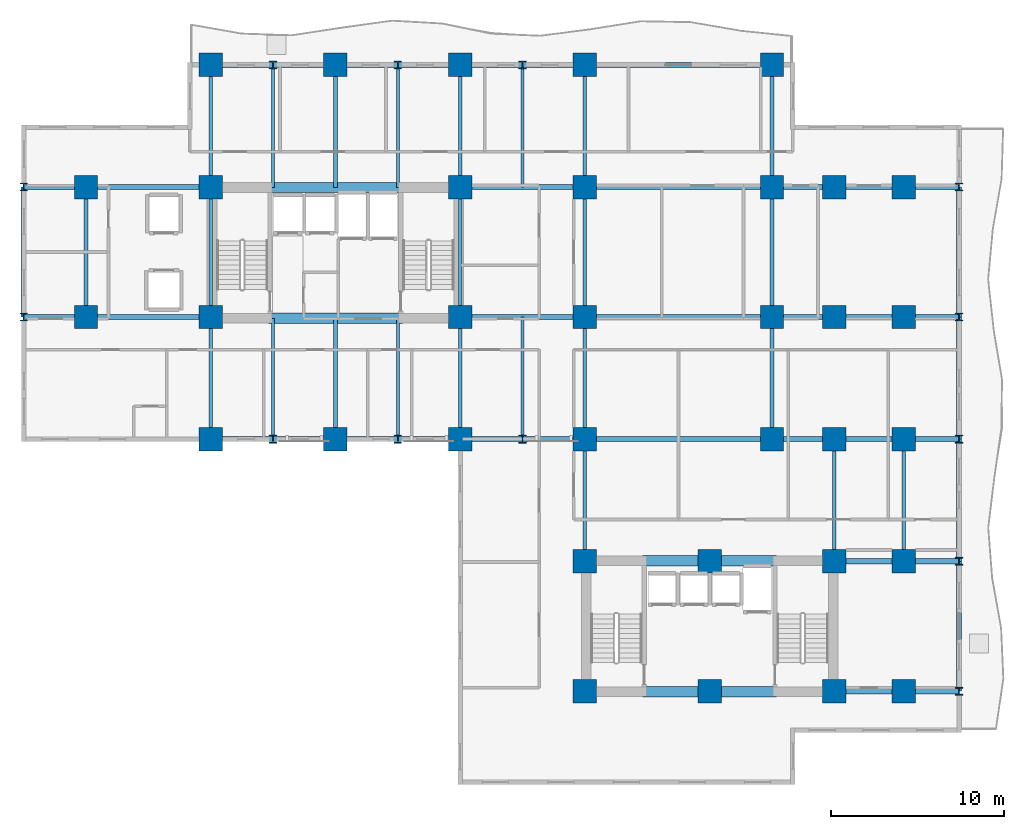
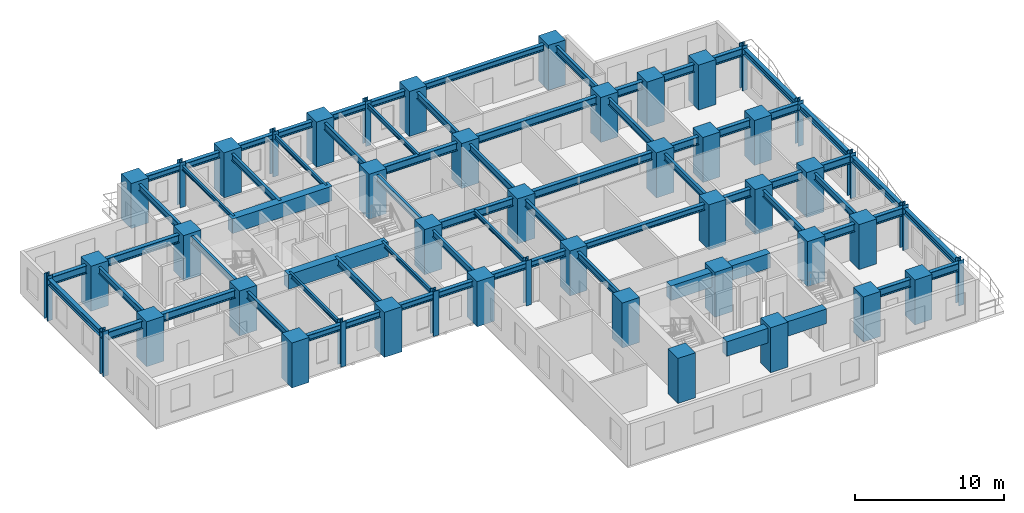
# One storey, part 1 of 11: 68 beams, 47 columns.
"""IFC4 building model written with IfcOpenShell, lengths in metres."""

import ifcopenshell
import ifcopenshell.guid

model = None  # the IFC model being written
_history = None  # IfcOwnerHistory: only IFC2X3 demands one
_inside = {}  # id of a spatial element -> (the spatial element, [elements in it])
_under = {}  # id of a project, library or spatial element -> (it, [spatial elements below it])
_declared = {}  # id of a project -> (the project, [libraries it declares])
_typed = {}  # id of a type object -> (the type object, [elements of that type])
_made_of = {}  # id of a material, layer set ... -> (it, [elements and type objects made of it])


def new_model(schema):
    """Start an empty IFC model of exactly this schema.

    Asked for "IFC4X3", IfcOpenShell would pick the latest addendum, in which some entities
    have other attributes; the version numbers below select the first issue.
    IFC2X3 requires an IfcOwnerHistory on every rooted entity: one is made here for all.
    """
    global model, _history
    if schema == "IFC4X3":
        model = ifcopenshell.file(schema_version=(4, 3, 0, 0))
    else:
        model = ifcopenshell.file(schema=schema)
    _inside.clear()
    _under.clear()
    _declared.clear()
    _typed.clear()
    _made_of.clear()
    _history = None
    if model.schema == "IFC2X3":
        org = make("IfcOrganization", Name="unknown")
        user = make(
            "IfcPersonAndOrganization",
            ThePerson=make("IfcPerson", FamilyName="unknown"),
            TheOrganization=org,
        )
        app = make(
            "IfcApplication",
            ApplicationDeveloper=org,
            Version="unknown",
            ApplicationFullName="unknown",
            ApplicationIdentifier="unknown",
        )
        _history = make(
            "IfcOwnerHistory",
            OwningUser=user,
            OwningApplication=app,
            ChangeAction="ADDED",
            CreationDate=0,
        )
    return model


def make(cls, **values):
    """One entity of the class cls with the attributes given. An attribute that is None is left unset."""
    return model.create_entity(
        cls, **{name: value for name, value in values.items() if value is not None}
    )


def rooted(cls, **values):
    """An entity with a GlobalId (a new one), such as an element, a storey or a relation."""
    return make(cls, GlobalId=ifcopenshell.guid.new(), OwnerHistory=_history, **values)


def si_unit(unit_type, name, prefix=None):
    """IfcSIUnit, for example si_unit("LENGTHUNIT", "METRE", prefix="MILLI")."""
    return make("IfcSIUnit", UnitType=unit_type, Prefix=prefix, Name=name)


def assignment(units):
    """IfcUnitAssignment: the units of a project."""
    return None if units is None else make("IfcUnitAssignment", Units=units)


def point(xyz):
    """IfcCartesianPoint."""
    return None if xyz is None else make("IfcCartesianPoint", Coordinates=xyz)


def direction(xyz):
    """IfcDirection."""
    return None if xyz is None else make("IfcDirection", DirectionRatios=xyz)


def frame(location, z_axis=None, x_axis=None):
    """IfcAxis2Placement3D, a coordinate frame: its origin and axes. An axis left out is left unset."""
    return make(
        "IfcAxis2Placement3D",
        Location=point(location),
        Axis=direction(z_axis),
        RefDirection=direction(x_axis),
    )


def frame_2d(location, x_axis=None):
    """IfcAxis2Placement2D, a coordinate frame in the plane: its origin and x axis."""
    return make(
        "IfcAxis2Placement2D", Location=point(location), RefDirection=direction(x_axis)
    )


def origin():
    """The frame at (0, 0, 0) with its axes left unset."""
    return frame((0.0, 0.0, 0.0))


def origin_2d():
    """The frame at (0, 0) in the plane with its x axis left unset."""
    return frame_2d((0.0, 0.0))


def place(relative_to, where):
    """IfcLocalPlacement: puts the frame where relative to a parent placement (None: the world)."""
    return make(
        "IfcLocalPlacement", PlacementRelTo=relative_to, RelativePlacement=where
    )


def context(
    kind, dimensions, precision=None, world=None, true_north=None, identifier=None
):
    """IfcGeometricRepresentationContext, for example the 3D "Model" context."""
    return make(
        "IfcGeometricRepresentationContext",
        ContextIdentifier=identifier,
        ContextType=kind,
        CoordinateSpaceDimension=dimensions,
        Precision=precision,
        WorldCoordinateSystem=world,
        TrueNorth=true_north,
    )


def subcontext(parent, identifier, kind, view, scale=None):
    """IfcGeometricRepresentationSubContext, for example "Body" below "Model"."""
    return make(
        "IfcGeometricRepresentationSubContext",
        ContextIdentifier=identifier,
        ContextType=kind,
        ParentContext=parent,
        TargetScale=scale,
        TargetView=view,
    )


def project(units=None, contexts=None):
    """IfcProject with its units and contexts."""
    return rooted(
        "IfcProject",
        Name="project",
        RepresentationContexts=contexts,
        UnitsInContext=assignment(units),
    )


def spatial(cls, under=None, at=None, **own):
    """A site, building, storey or space (cls), placed at a placement, below another one or the project."""
    s = rooted(cls, ObjectPlacement=at, **own)
    if under is not None:
        _under.setdefault(under.id(), (under, []))[1].append(s)
    return s


def profile(cls, at=None, kind="AREA", **sizes):
    """A parametric profile (cls). Its sizes go by their IFC names, for example OverallWidth=200.0."""
    return make(cls, ProfileType=kind, Position=at, **sizes)


def rectangle(**sizes):
    """IfcRectangleProfileDef."""
    return profile("IfcRectangleProfileDef", **sizes)


def i_section(**sizes):
    """IfcIShapeProfileDef."""
    return profile("IfcIShapeProfileDef", **sizes)


def extrude(swept, where, along, depth):
    """IfcExtrudedAreaSolid: the profile swept, set in the frame where, extruded along a direction by depth."""
    return make(
        "IfcExtrudedAreaSolid",
        SweptArea=swept,
        Position=where,
        ExtrudedDirection=direction(along),
        Depth=depth,
    )


def shape(context_of_items, identifier, shape_type, items):
    """IfcShapeRepresentation: the items that make up one representation, for example the "Body"."""
    return make(
        "IfcShapeRepresentation",
        ContextOfItems=context_of_items,
        RepresentationIdentifier=identifier,
        RepresentationType=shape_type,
        Items=items,
    )


def source(mapping_origin, context_of_items, identifier, shape_type, items):
    """IfcRepresentationMap: a shape defined once, which mapped items show again and again."""
    return make(
        "IfcRepresentationMap",
        MappingOrigin=mapping_origin,
        MappedRepresentation=shape(context_of_items, identifier, shape_type, items),
    )


def transform(
    local_origin,
    x_axis=None,
    y_axis=None,
    z_axis=None,
    scale=None,
    scale2=None,
    scale3=None,
    uniform=True,
):
    """IfcCartesianTransformationOperator3D, or its non-uniform kind. x_axis, y_axis, z_axis: its Axis1, 2, 3."""
    if uniform:
        return make(
            "IfcCartesianTransformationOperator3D",
            Axis1=direction(x_axis),
            Axis2=direction(y_axis),
            LocalOrigin=point(local_origin),
            Scale=scale,
            Axis3=direction(z_axis),
        )
    return make(
        "IfcCartesianTransformationOperator3DnonUniform",
        Axis1=direction(x_axis),
        Axis2=direction(y_axis),
        LocalOrigin=point(local_origin),
        Scale=scale,
        Axis3=direction(z_axis),
        Scale2=scale2,
        Scale3=scale3,
    )


def mapped(mapping_source, mapping_target):
    """IfcMappedItem: shows the shape of a source again, moved by a transform."""
    return make(
        "IfcMappedItem", MappingSource=mapping_source, MappingTarget=mapping_target
    )


def material(Name=None, Category=None):
    """IfcMaterial."""
    return make("IfcMaterial", Name=Name, Category=Category)


def material_profile(
    of_material, cross_section, Name=None, Category=None, Priority=None
):
    """IfcMaterialProfile: a cross section and its material."""
    return make(
        "IfcMaterialProfile",
        Name=Name,
        Material=of_material,
        Profile=cross_section,
        Priority=Priority,
        Category=Category,
    )


def profile_set(profiles, Name=None, composite=None):
    """IfcMaterialProfileSet."""
    return make(
        "IfcMaterialProfileSet",
        Name=Name,
        MaterialProfiles=profiles,
        CompositeProfile=composite,
    )


def made_of(thing, what):
    """Note that an element or type object is made of a material, layer set ...; save() writes the relation."""
    if what is not None:
        _made_of.setdefault(what.id(), (what, []))[1].append(thing)
    return thing


def type_object(cls, material=None, **own):
    """A type object (cls), such as IfcWallType, which elements share."""
    return made_of(rooted(cls, **own), material)


def element(
    cls,
    number,
    at=None,
    inside=None,
    cuts=None,
    type_object=None,
    material=None,
    context=None,
    identifier="Body",
    shape_type=None,
    held_by="IfcProductDefinitionShape",
    body=None,
    shapes=None,
    **own,
):
    """One element of the class cls, such as IfcWall. Its Tag is "e" and its number.

    at: its placement. inside: the storey or other place that contains it. cuts: it is an
    opening in that element (IfcRelVoidsElement). A single representation is given by context,
    identifier, shape_type and body (its items); several are given by shapes. held_by: the class
    of the entity that holds the representations. save() writes the other relations.
    """
    e = rooted(cls, Tag="e%d" % number, ObjectPlacement=at, **own)
    if body is not None:
        shapes = [shape(context, identifier, shape_type, body)]
    if shapes is not None:
        e.Representation = make(held_by, Representations=shapes)
    if inside is not None:
        _inside.setdefault(inside.id(), (inside, []))[1].append(e)
    if cuts is not None:
        rooted(
            "IfcRelVoidsElement", RelatingBuildingElement=cuts, RelatedOpeningElement=e
        )
    if type_object is not None:
        _typed.setdefault(type_object.id(), (type_object, []))[1].append(e)
    return made_of(e, material)


def aggregate(whole, parts):
    """IfcRelAggregates: a whole, such as a stair, and the parts it consists of."""
    return rooted("IfcRelAggregates", RelatingObject=whole, RelatedObjects=parts)


def save(model, path):
    """Write the relations noted so far, then the file.

    IfcRelAggregates (storeys below a building ...), IfcRelContainedInSpatialStructure (elements
    in a storey), IfcRelDefinesByType, IfcRelAssociatesMaterial and IfcRelDeclares: one each for
    every whole, place, type object, material and project.
    """
    for whole, parts in _under.values():
        aggregate(whole, parts)
    for where, things in _inside.values():
        rooted(
            "IfcRelContainedInSpatialStructure",
            RelatedElements=things,
            RelatingStructure=where,
        )
    for kind, things in _typed.values():
        rooted("IfcRelDefinesByType", RelatedObjects=things, RelatingType=kind)
    for what, things in _made_of.values():
        rooted("IfcRelAssociatesMaterial", RelatedObjects=things, RelatingMaterial=what)
    for by, libraries in _declared.values():
        rooted("IfcRelDeclares", RelatingContext=by, RelatedDefinitions=libraries)
    model.write(path)


model = new_model("IFC4")

# Units and contexts
model_context = context("Model", 3, precision=1e-05, world=origin(), true_north=direction((0.0, 1.0)))
body_context = subcontext(model_context, "Body", "Model", "MODEL_VIEW")
ifc_project = project(units=[si_unit("LENGTHUNIT", "METRE"), si_unit("AREAUNIT", "SQUARE_METRE"), si_unit("VOLUMEUNIT", "CUBIC_METRE"), si_unit("PLANEANGLEUNIT", "RADIAN"), si_unit("MASSUNIT", "GRAM", prefix="KILO")], contexts=[model_context])

# Site, building, storey
site_placement = place(None, origin())
site = spatial("IfcSite", under=ifc_project, at=site_placement, CompositionType="ELEMENT")
building_placement = place(site_placement, origin())
building = spatial("IfcBuilding", under=site, at=building_placement, Name="Kaliganga Portal Commons", CompositionType="ELEMENT")
storey_placement = place(building_placement, frame((0.0, 0.0, 66.0)))
storey = spatial("IfcBuildingStorey", under=building, at=storey_placement, Name="L16", CompositionType="ELEMENT", Elevation=66.0)

# Columns
ifc_material_1 = material(Name="Concrete C70/85", Category="concrete")
ifc_material_profile_1 = material_profile(ifc_material_1, rectangle(XDim=1.35009765625, YDim=1.35009765625, at=origin_2d()), Name="RC 1350x1350")
ifc_profile_set_1 = profile_set([ifc_material_profile_1], Name="Concrete C70/85")
column_type_1 = type_object("IfcColumnType", Name="COL-MEGA-Z1", PredefinedType="COLUMN", material=ifc_profile_set_1)
shared_shape_1 = source(origin(), body_context, "Body", "SweptSolid", [
    extrude(rectangle(XDim=1.35009765625, YDim=1.35009765625, at=origin_2d()), origin(), (0.0, 0.0, 1.0), 3.699951171875),
])
for number, where, z_axis, x_axis, name in (
    (1, (7.199951171875, 28.64990234375, 0.0), (0.0, 0.0, 1.0), (1.0, 0.0, 0.0), "Column MC-02 L16"),
    (2, (7.199951171875, 36.14990234375, 0.0), (0.0, 0.0, 1.0), (1.0, 0.0, 0.0), "Column MC-02 L16"),
    (3, (14.39990234375, 21.60009765625, 0.0), (0.0, 0.0, 1.0), (1.0, 0.0, 0.0), "Column MC-02 L16"),
    (4, (14.39990234375, 28.64990234375, 0.0), (0.0, 0.0, 1.0), (1.0, 0.0, 0.0), "Column MC-02 L16"),
    (5, (14.39990234375, 36.14990234375, 0.0), (0.0, 0.0, 1.0), (1.0, 0.0, 0.0), "Column MC-02 L16"),
    (6, (14.39990234375, 43.199951171875, 0.0), (0.0, 0.0, 1.0), (1.0, 0.0, 0.0), "Column MC-02 L16"),
    (7, (21.60009765625, 21.60009765625, 0.0), (0.0, 0.0, 1.0), (1.0, 0.0, 0.0), "Column MC-02 L16"),
    (8, (21.60009765625, 43.199951171875, 0.0), (0.0, 0.0, 1.0), (1.0, 0.0, 0.0), "Column MC-02 L16"),
    (9, (28.800048828125, 21.60009765625, 0.0), (0.0, 0.0, 1.0), (1.0, 0.0, 0.0), "Column MC-02 L16"),
    (10, (28.800048828125, 28.64990234375, 0.0), (0.0, 0.0, 1.0), (1.0, 0.0, 0.0), "Column MC-02 L16"),
    (11, (28.800048828125, 36.14990234375, 0.0), (0.0, 0.0, 1.0), (1.0, 0.0, 0.0), "Column MC-02 L16"),
    (12, (28.800048828125, 43.199951171875, 0.0), (0.0, 0.0, 1.0), (1.0, 0.0, 0.0), "Column MC-02 L16"),
    (13, (36.0, 21.60009765625, 0.0), (0.0, 0.0, 1.0), (1.0, 0.0, 0.0), "Column MC-02 L16"),
    (14, (36.0, 43.199951171875, 0.0), (0.0, 0.0, 1.0), (1.0, 0.0, 0.0), "Column MC-02 L16"),
    (15, (36.0, 28.64990234375, 0.0), (0.0, 0.0, 1.0), (1.0, 0.0, 0.0), "Column MC-02 L16"),
    (16, (36.0, 36.14990234375, 0.0), (0.0, 0.0, 1.0), (1.0, 0.0, 0.0), "Column MC-02 L16"),
    (17, (46.800048828125, 21.60009765625, 0.0), (0.0, 0.0, 1.0), (1.0, 0.0, 0.0), "Column MC-02 L16"),
    (18, (46.800048828125, 28.64990234375, 0.0), (0.0, 0.0, 1.0), (1.0, 0.0, 0.0), "Column MC-02 L16"),
    (19, (46.800048828125, 36.14990234375, 0.0), (0.0, 0.0, 1.0), (1.0, 0.0, 0.0), "Column MC-02 L16"),
    (20, (46.800048828125, 43.199951171875, 0.0), (0.0, 0.0, 1.0), (1.0, 0.0, 0.0), "Column MC-02 L16"),
    (21, (36.0, 7.050048828125, 0.0), (0.0, 0.0, 1.0), (1.0, 0.0, 0.0), "Column MC-02 L16"),
    (22, (36.0, 14.550048828125, 0.0), (0.0, 0.0, 1.0), (1.0, 0.0, 0.0), "Column MC-02 L16"),
    (23, (43.199951171875, 7.050048828125, 0.0), (0.0, 0.0, 1.0), (1.0, 0.0, 0.0), "Column MC-02 L16"),
    (24, (43.199951171875, 14.550048828125, 0.0), (0.0, 0.0, 1.0), (1.0, 0.0, 0.0), "Column MC-02 L16"),
    (25, (50.39990234375, 7.050048828125, 0.0), (0.0, 0.0, 1.0), (1.0, 0.0, 0.0), "Column MC-02 L16"),
    (26, (50.39990234375, 14.550048828125, 0.0), (0.0, 0.0, 1.0), (1.0, 0.0, 0.0), "Column MC-02 L16"),
    (27, (50.39990234375, 21.60009765625, 0.0), (0.0, 0.0, 1.0), (1.0, 0.0, 0.0), "Column MC-02 L16"),
    (28, (50.39990234375, 28.64990234375, 0.0), (0.0, 0.0, 1.0), (1.0, 0.0, 0.0), "Column MC-02 L16"),
    (29, (50.39990234375, 36.14990234375, 0.0), (0.0, 0.0, 1.0), (1.0, 0.0, 0.0), "Column MC-02 L16"),
    (30, (54.39990234375, 7.050048828125, 0.0), (0.0, 0.0, 1.0), (1.0, 0.0, 0.0), "Column MC-02 L16"),
    (31, (54.39990234375, 14.550048828125, 0.0), (0.0, 0.0, 1.0), (1.0, 0.0, 0.0), "Column MC-02 L16"),
    (32, (54.39990234375, 21.60009765625, 0.0), (0.0, 0.0, 1.0), (1.0, 0.0, 0.0), "Column MC-02 L16"),
    (33, (54.39990234375, 28.64990234375, 0.0), (0.0, 0.0, 1.0), (1.0, 0.0, 0.0), "Column MC-02 L16"),
    (34, (54.39990234375, 36.14990234375, 0.0), (0.0, 0.0, 1.0), (1.0, 0.0, 0.0), "Column MC-02 L16"),
):
    element("IfcColumn", number, at=place(storey_placement, frame(where, z_axis=z_axis, x_axis=x_axis)), inside=storey, type_object=column_type_1, Name=name, PredefinedType="COLUMN", context=body_context, shape_type="MappedRepresentation", body=[
        mapped(shared_shape_1, transform((0.0, 0.0, 0.0), x_axis=(1.0, 0.0, 0.0), y_axis=(0.0, 1.0, 0.0), z_axis=(0.0, 0.0, 1.0), scale=1.0)),
    ])
ifc_material_2 = material(Name="Structural steel S460M", Category="steel")
ifc_material_profile_2 = material_profile(ifc_material_2, i_section(OverallWidth=0.416015625, OverallDepth=0.446044921875, WebThickness=0.029052734375, FlangeThickness=0.0400390625, FilletRadius=0.014892578125, at=origin_2d()), Name="HD 400x509")
ifc_profile_set_2 = profile_set([ifc_material_profile_2], Name="Structural steel S460M wide-flange")
column_type_2 = type_object("IfcColumnType", Name="COL-TUBE-B1", PredefinedType="COLUMN", material=ifc_profile_set_2)
shared_shape_2 = source(origin(), body_context, "Body", "SweptSolid", [
    extrude(i_section(OverallWidth=0.416015625, OverallDepth=0.446044921875, WebThickness=0.029052734375, FlangeThickness=0.0400390625, FilletRadius=0.014892578125, at=origin_2d()), origin(), (0.0, 0.0, 1.0), 3.699951171875),
])
for number, where, z_axis, x_axis, name in (
    (35, (3.60009765625, 28.64990234375, 0.0), (0.0, 0.0, 1.0), (1.0, 0.0, 0.0), "Column TC-01 L16"),
    (36, (3.60009765625, 36.14990234375, 0.0), (0.0, 0.0, 1.0), (1.0, 0.0, 0.0), "Column TC-01 L16"),
    (37, (18.0, 21.60009765625, 0.0), (0.0, 0.0, 1.0), (1.0, 0.0, 0.0), "Column TC-01 L16"),
    (38, (18.0, 43.199951171875, 0.0), (0.0, 0.0, 1.0), (1.0, 0.0, 0.0), "Column TC-01 L16"),
    (39, (25.199951171875, 21.60009765625, 0.0), (0.0, 0.0, 1.0), (1.0, 0.0, 0.0), "Column TC-01 L16"),
    (40, (25.199951171875, 43.199951171875, 0.0), (0.0, 0.0, 1.0), (1.0, 0.0, 0.0), "Column TC-01 L16"),
    (41, (32.39990234375, 21.60009765625, 0.0), (0.0, 0.0, 1.0), (1.0, 0.0, 0.0), "Column TC-01 L16"),
    (42, (32.39990234375, 43.199951171875, 0.0), (0.0, 0.0, 1.0), (1.0, 0.0, 0.0), "Column TC-01 L16"),
    (43, (57.60009765625, 7.050048828125, 0.0), (0.0, 0.0, 1.0), (1.0, 0.0, 0.0), "Column TC-01 L16"),
    (44, (57.60009765625, 14.550048828125, 0.0), (0.0, 0.0, 1.0), (1.0, 0.0, 0.0), "Column TC-01 L16"),
    (45, (57.60009765625, 21.60009765625, 0.0), (0.0, 0.0, 1.0), (1.0, 0.0, 0.0), "Column TC-01 L16"),
    (46, (57.60009765625, 28.64990234375, 0.0), (0.0, 0.0, 1.0), (1.0, 0.0, 0.0), "Column TC-01 L16"),
    (47, (57.60009765625, 36.14990234375, 0.0), (0.0, 0.0, 1.0), (1.0, 0.0, 0.0), "Column TC-01 L16"),
):
    element("IfcColumn", number, at=place(storey_placement, frame(where, z_axis=z_axis, x_axis=x_axis)), inside=storey, type_object=column_type_2, Name=name, PredefinedType="COLUMN", context=body_context, shape_type="MappedRepresentation", body=[
        mapped(shared_shape_2, transform((0.0, 0.0, 0.0), x_axis=(1.0, 0.0, 0.0), y_axis=(0.0, 1.0, 0.0), z_axis=(0.0, 0.0, 1.0), scale=1.0)),
    ])

# Beams
ifc_material_3 = material(Name="Concrete C60/75", Category="concrete")
ifc_material_profile_3 = material_profile(ifc_material_3, rectangle(XDim=0.60009765625, YDim=1.199951171875, at=origin_2d()), Name="RC 600x1200")
ifc_profile_set_3 = profile_set([ifc_material_profile_3], Name="Concrete C60/75")
beam_type_1 = type_object("IfcBeamType", Name="BM-CPL-1200", PredefinedType="LINTEL", material=ifc_profile_set_3)
shared_shape_3 = source(origin(), body_context, "Body", "SweptSolid", [
    extrude(rectangle(XDim=0.60009765625, YDim=1.199951171875, at=origin_2d()), origin(), (0.0, 0.0, 1.0), 7.739990234375),
])
for number, where, z_axis, x_axis, name in (
    (48, (17.72998046875, 28.574951171875, 2.85009765625), (1.0, 0.0, 0.0), (0.0, 1.0, 0.0), "BM CPL COREA L16 S"),
    (49, (17.72998046875, 36.125, 2.85009765625), (1.0, 0.0, 0.0), (0.0, 1.0, 0.0), "BM CPL COREA L16 N"),
    (50, (39.330078125, 7.02490234375, 2.85009765625), (1.0, 0.0, 0.0), (0.0, 1.0, 0.0), "BM CPL COREB L16 S"),
    (51, (39.330078125, 14.574951171875, 2.85009765625), (1.0, 0.0, 0.0), (0.0, 1.0, 0.0), "BM CPL COREB L16 N"),
):
    element("IfcBeam", number, at=place(storey_placement, frame(where, z_axis=z_axis, x_axis=x_axis)), inside=storey, type_object=beam_type_1, Name=name, PredefinedType="LINTEL", context=body_context, shape_type="MappedRepresentation", body=[
        mapped(shared_shape_3, transform((0.0, 0.0, 0.0), x_axis=(1.0, 0.0, 0.0), y_axis=(0.0, 1.0, 0.0), z_axis=(0.0, 0.0, 1.0), scale=1.0)),
    ])
ifc_material_4 = material(Name="Structural steel S355J2", Category="steel")
ifc_material_profile_4 = material_profile(ifc_material_4, i_section(OverallWidth=0.300048828125, OverallDepth=0.5, WebThickness=0.014404296875, FlangeThickness=0.028076171875, FilletRadius=0.027099609375, at=origin_2d()), Name="HE 500 B")
ifc_profile_set_4 = profile_set([ifc_material_profile_4], Name="Structural steel S355J2 wide-flange")
beam_type_2 = type_object("IfcBeamType", Name="BM-SPAND-500", PredefinedType="SPANDREL", material=ifc_profile_set_4)
shared_shape_4 = source(origin(), body_context, "Body", "SweptSolid", [
    extrude(i_section(OverallWidth=0.300048828125, OverallDepth=0.5, WebThickness=0.014404296875, FlangeThickness=0.028076171875, FilletRadius=0.027099609375, at=origin_2d()), origin(), (0.0, 0.0, 1.0), 10.800048828125),
])
for number, where, z_axis, x_axis, name in (
    (52, (36.0, 43.199951171875, 3.199951171875), (1.0, 0.0, 0.0), (0.0, 1.0, 0.0), "BM SP L16 AN 7"),
    (53, (36.0, 21.60009765625, 3.199951171875), (1.0, 0.0, 0.0), (0.0, 1.0, 0.0), "BM SP L16 AS 7"),
):
    element("IfcBeam", number, at=place(storey_placement, frame(where, z_axis=z_axis, x_axis=x_axis)), inside=storey, type_object=beam_type_2, Name=name, PredefinedType="SPANDREL", context=body_context, shape_type="MappedRepresentation", body=[
        mapped(shared_shape_4, transform((0.0, 0.0, 0.0), x_axis=(1.0, 0.0, 0.0), y_axis=(0.0, 1.0, 0.0), z_axis=(0.0, 0.0, 1.0), scale=1.0)),
    ])
shared_shape_5 = source(origin(), body_context, "Body", "SweptSolid", [
    extrude(i_section(OverallWidth=0.300048828125, OverallDepth=0.5, WebThickness=0.014404296875, FlangeThickness=0.028076171875, FilletRadius=0.027099609375, at=origin_2d()), origin(), (0.0, 0.0, 1.0), 7.5),
])
for number, where, z_axis, x_axis, name in (
    (54, (3.60009765625, 28.64990234375, 3.199951171875), (0.0, 1.0, 0.0), (-1.0, 0.0, 0.0), "BM SP L16 AW"),
    (55, (57.60009765625, 7.050048828125, 3.199951171875), (0.0, 1.0, 0.0), (-1.0, 0.0, 0.0), "BM SP L16 BE 1"),
    (56, (57.60009765625, 28.64990234375, 3.199951171875), (0.0, 1.0, 0.0), (-1.0, 0.0, 0.0), "BM SP L16 BE 4"),
):
    element("IfcBeam", number, at=place(storey_placement, frame(where, z_axis=z_axis, x_axis=x_axis)), inside=storey, type_object=beam_type_2, Name=name, PredefinedType="SPANDREL", context=body_context, shape_type="MappedRepresentation", body=[
        mapped(shared_shape_5, transform((0.0, 0.0, 0.0), x_axis=(1.0, 0.0, 0.0), y_axis=(0.0, 1.0, 0.0), z_axis=(0.0, 0.0, 1.0), scale=1.0)),
    ])
shared_shape_6 = source(origin(), body_context, "Body", "SweptSolid", [
    extrude(i_section(OverallWidth=0.300048828125, OverallDepth=0.5, WebThickness=0.014404296875, FlangeThickness=0.028076171875, FilletRadius=0.027099609375, at=origin_2d()), origin(), (0.0, 0.0, 1.0), 7.050048828125),
])
beam_1_placement = place(storey_placement, frame((57.60009765625, 14.550048828125, 3.199951171875), z_axis=(0.0, 1.0, 0.0), x_axis=(-1.0, 0.0, 0.0)))
element("IfcBeam", 57, at=beam_1_placement, inside=storey, type_object=beam_type_2, Name="BM SP L16 BE 2", PredefinedType="SPANDREL", context=body_context, shape_type="MappedRepresentation", body=[
    mapped(shared_shape_6, transform((0.0, 0.0, 0.0), x_axis=(1.0, 0.0, 0.0), y_axis=(0.0, 1.0, 0.0), z_axis=(0.0, 0.0, 1.0), scale=1.0)),
])
shared_shape_7 = source(origin(), body_context, "Body", "SweptSolid", [
    extrude(i_section(OverallWidth=0.300048828125, OverallDepth=0.5, WebThickness=0.014404296875, FlangeThickness=0.028076171875, FilletRadius=0.027099609375, at=origin_2d()), origin(), (0.0, 0.0, 1.0), 7.0498046875),
])
beam_2_placement = place(storey_placement, frame((57.60009765625, 21.60009765625, 3.199951171875), z_axis=(0.0, 1.0, 0.0), x_axis=(-1.0, 0.0, 0.0)))
element("IfcBeam", 58, at=beam_2_placement, inside=storey, type_object=beam_type_2, Name="BM SP L16 BE 3", PredefinedType="SPANDREL", context=body_context, shape_type="MappedRepresentation", body=[
    mapped(shared_shape_7, transform((0.0, 0.0, 0.0), x_axis=(1.0, 0.0, 0.0), y_axis=(0.0, 1.0, 0.0), z_axis=(0.0, 0.0, 1.0), scale=1.0)),
])
shared_shape_8 = source(origin(), body_context, "Body", "SweptSolid", [
    extrude(i_section(OverallWidth=0.300048828125, OverallDepth=0.5, WebThickness=0.014404296875, FlangeThickness=0.028076171875, FilletRadius=0.027099609375, at=origin_2d()), origin(), (0.0, 0.0, 1.0), 3.60009765625),
])
for number, where, z_axis, x_axis, name in (
    (59, (14.39990234375, 43.199951171875, 3.199951171875), (1.0, 0.0, 0.0), (0.0, 1.0, 0.0), "BM SP L16 AN 1"),
    (60, (18.0, 43.199951171875, 3.199951171875), (1.0, 0.0, 0.0), (0.0, 1.0, 0.0), "BM SP L16 AN 2"),
    (61, (25.199951171875, 43.199951171875, 3.199951171875), (1.0, 0.0, 0.0), (0.0, 1.0, 0.0), "BM SP L16 AN 4"),
    (62, (32.39990234375, 43.199951171875, 3.199951171875), (1.0, 0.0, 0.0), (0.0, 1.0, 0.0), "BM SP L16 AN 6"),
    (63, (14.39990234375, 21.60009765625, 3.199951171875), (1.0, 0.0, 0.0), (0.0, 1.0, 0.0), "BM SP L16 AS 1"),
    (64, (18.0, 21.60009765625, 3.199951171875), (1.0, 0.0, 0.0), (0.0, 1.0, 0.0), "BM SP L16 AS 2"),
    (65, (25.199951171875, 21.60009765625, 3.199951171875), (1.0, 0.0, 0.0), (0.0, 1.0, 0.0), "BM SP L16 AS 4"),
    (66, (32.39990234375, 21.60009765625, 3.199951171875), (1.0, 0.0, 0.0), (0.0, 1.0, 0.0), "BM SP L16 AS 6"),
):
    element("IfcBeam", number, at=place(storey_placement, frame(where, z_axis=z_axis, x_axis=x_axis)), inside=storey, type_object=beam_type_2, Name=name, PredefinedType="SPANDREL", context=body_context, shape_type="MappedRepresentation", body=[
        mapped(shared_shape_8, transform((0.0, 0.0, 0.0), x_axis=(1.0, 0.0, 0.0), y_axis=(0.0, 1.0, 0.0), z_axis=(0.0, 0.0, 1.0), scale=1.0)),
    ])
shared_shape_9 = source(origin(), body_context, "Body", "SweptSolid", [
    extrude(i_section(OverallWidth=0.300048828125, OverallDepth=0.5, WebThickness=0.014404296875, FlangeThickness=0.028076171875, FilletRadius=0.027099609375, at=origin_2d()), origin(), (0.0, 0.0, 1.0), 3.599853515625),
])
for number, where, z_axis, x_axis, name in (
    (67, (21.60009765625, 43.199951171875, 3.199951171875), (1.0, 0.0, 0.0), (0.0, 1.0, 0.0), "BM SP L16 AN 3"),
    (68, (28.800048828125, 43.199951171875, 3.199951171875), (1.0, 0.0, 0.0), (0.0, 1.0, 0.0), "BM SP L16 AN 5"),
    (69, (21.60009765625, 21.60009765625, 3.199951171875), (1.0, 0.0, 0.0), (0.0, 1.0, 0.0), "BM SP L16 AS 3"),
    (70, (28.800048828125, 21.60009765625, 3.199951171875), (1.0, 0.0, 0.0), (0.0, 1.0, 0.0), "BM SP L16 AS 5"),
):
    element("IfcBeam", number, at=place(storey_placement, frame(where, z_axis=z_axis, x_axis=x_axis)), inside=storey, type_object=beam_type_2, Name=name, PredefinedType="SPANDREL", context=body_context, shape_type="MappedRepresentation", body=[
        mapped(shared_shape_9, transform((0.0, 0.0, 0.0), x_axis=(1.0, 0.0, 0.0), y_axis=(0.0, 1.0, 0.0), z_axis=(0.0, 0.0, 1.0), scale=1.0)),
    ])
ifc_material_profile_5 = material_profile(ifc_material_4, i_section(OverallWidth=0.300048828125, OverallDepth=0.64990234375, WebThickness=0.01611328125, FlangeThickness=0.031005859375, FilletRadius=0.027099609375, at=origin_2d()), Name="HE 650 B")
ifc_profile_set_5 = profile_set([ifc_material_profile_5], Name="Structural steel S355J2 wide-flange")
beam_type_3 = type_object("IfcBeamType", Name="BM-GIRD-650", PredefinedType="USERDEFINED", material=ifc_profile_set_5)
shared_shape_10 = source(origin(), body_context, "Body", "SweptSolid", [
    extrude(i_section(OverallWidth=0.300048828125, OverallDepth=0.64990234375, WebThickness=0.01611328125, FlangeThickness=0.031005859375, FilletRadius=0.027099609375, at=origin_2d()), origin(), (0.0, 0.0, 1.0), 3.599853515625),
])
for number, where, z_axis, x_axis, name in (
    (71, (3.60009765625, 28.64990234375, 3.125), (1.0, 0.0, 0.0), (0.0, 1.0, 0.0), "BM G L16 WAH_S 1"),
    (72, (3.60009765625, 36.14990234375, 3.125), (1.0, 0.0, 0.0), (0.0, 1.0, 0.0), "BM G L16 WAH_N 1"),
    (73, (46.800048828125, 21.60009765625, 3.125), (1.0, 0.0, 0.0), (0.0, 1.0, 0.0), "BM G L16 BKE216 1"),
    (74, (46.800048828125, 28.64990234375, 3.125), (1.0, 0.0, 0.0), (0.0, 1.0, 0.0), "BM G L16 BKE286 1"),
    (75, (46.800048828125, 36.14990234375, 3.125), (1.0, 0.0, 0.0), (0.0, 1.0, 0.0), "BM G L16 BKE362 1"),
):
    element("IfcBeam", number, at=place(storey_placement, frame(where, z_axis=z_axis, x_axis=x_axis)), inside=storey, type_object=beam_type_3, Name=name, ObjectType="GIRDER", PredefinedType="USERDEFINED", context=body_context, shape_type="MappedRepresentation", body=[
        mapped(shared_shape_10, transform((0.0, 0.0, 0.0), x_axis=(1.0, 0.0, 0.0), y_axis=(0.0, 1.0, 0.0), z_axis=(0.0, 0.0, 1.0), scale=1.0)),
    ])
shared_shape_11 = source(origin(), body_context, "Body", "SweptSolid", [
    extrude(i_section(OverallWidth=0.300048828125, OverallDepth=0.64990234375, WebThickness=0.01611328125, FlangeThickness=0.031005859375, FilletRadius=0.027099609375, at=origin_2d()), origin(), (0.0, 0.0, 1.0), 7.199951171875),
])
for number, where, z_axis, x_axis, name in (
    (76, (7.199951171875, 28.64990234375, 3.125), (1.0, 0.0, 0.0), (0.0, 1.0, 0.0), "BM G L16 WAH_S 2"),
    (77, (7.199951171875, 36.14990234375, 3.125), (1.0, 0.0, 0.0), (0.0, 1.0, 0.0), "BM G L16 WAH_N 2"),
    (78, (28.800048828125, 28.64990234375, 3.125), (1.0, 0.0, 0.0), (0.0, 1.0, 0.0), "BM G L16 WAE_S 1"),
    (79, (28.800048828125, 36.14990234375, 3.125), (1.0, 0.0, 0.0), (0.0, 1.0, 0.0), "BM G L16 WAE_N 1"),
):
    element("IfcBeam", number, at=place(storey_placement, frame(where, z_axis=z_axis, x_axis=x_axis)), inside=storey, type_object=beam_type_3, Name=name, ObjectType="GIRDER", PredefinedType="USERDEFINED", context=body_context, shape_type="MappedRepresentation", body=[
        mapped(shared_shape_11, transform((0.0, 0.0, 0.0), x_axis=(1.0, 0.0, 0.0), y_axis=(0.0, 1.0, 0.0), z_axis=(0.0, 0.0, 1.0), scale=1.0)),
    ])
shared_shape_12 = source(origin(), body_context, "Body", "SweptSolid", [
    extrude(i_section(OverallWidth=0.300048828125, OverallDepth=0.64990234375, WebThickness=0.01611328125, FlangeThickness=0.031005859375, FilletRadius=0.027099609375, at=origin_2d()), origin(), (0.0, 0.0, 1.0), 10.800048828125),
])
for number, where, z_axis, x_axis, name in (
    (80, (36.0, 28.64990234375, 3.125), (1.0, 0.0, 0.0), (0.0, 1.0, 0.0), "BM G L16 WAE_S 2"),
    (81, (36.0, 36.14990234375, 3.125), (1.0, 0.0, 0.0), (0.0, 1.0, 0.0), "BM G L16 WAE_N 2"),
):
    element("IfcBeam", number, at=place(storey_placement, frame(where, z_axis=z_axis, x_axis=x_axis)), inside=storey, type_object=beam_type_3, Name=name, ObjectType="GIRDER", PredefinedType="USERDEFINED", context=body_context, shape_type="MappedRepresentation", body=[
        mapped(shared_shape_12, transform((0.0, 0.0, 0.0), x_axis=(1.0, 0.0, 0.0), y_axis=(0.0, 1.0, 0.0), z_axis=(0.0, 0.0, 1.0), scale=1.0)),
    ])
ifc_material_profile_6 = material_profile(ifc_material_4, i_section(OverallWidth=0.2099609375, OverallDepth=0.550048828125, WebThickness=0.010986328125, FlangeThickness=0.01708984375, FilletRadius=0.02392578125, at=origin_2d()), Name="IPE 550")
ifc_profile_set_6 = profile_set([ifc_material_profile_6], Name="Structural steel S355J2 wide-flange")
beam_type_4 = type_object("IfcBeamType", Name="BM-FLR-550", PredefinedType="BEAM", material=ifc_profile_set_6)
shared_shape_13 = source(origin(), body_context, "Body", "SweptSolid", [
    extrude(i_section(OverallWidth=0.2099609375, OverallDepth=0.550048828125, WebThickness=0.010986328125, FlangeThickness=0.01708984375, FilletRadius=0.02392578125, at=origin_2d()), origin(), (0.0, 0.0, 1.0), 7.5),
])
for number, where, z_axis, x_axis, name in (
    (82, (7.199951171875, 28.64990234375, 3.175048828125), (0.0, 1.0, 0.0), (-1.0, 0.0, 0.0), "BM G L16 AW72"),
    (83, (14.39990234375, 28.64990234375, 3.175048828125), (0.0, 1.0, 0.0), (-1.0, 0.0, 0.0), "BM G L16 AM144"),
    (84, (28.800048828125, 28.64990234375, 3.175048828125), (0.0, 1.0, 0.0), (-1.0, 0.0, 0.0), "BM G L16 AM288"),
    (85, (36.0, 28.64990234375, 3.175048828125), (0.0, 1.0, 0.0), (-1.0, 0.0, 0.0), "BM G L16 AM360"),
    (86, (46.800048828125, 28.64990234375, 3.175048828125), (0.0, 1.0, 0.0), (-1.0, 0.0, 0.0), "BM G L16 AM468"),
):
    element("IfcBeam", number, at=place(storey_placement, frame(where, z_axis=z_axis, x_axis=x_axis)), inside=storey, type_object=beam_type_4, Name=name, PredefinedType="BEAM", context=body_context, shape_type="MappedRepresentation", body=[
        mapped(shared_shape_13, transform((0.0, 0.0, 0.0), x_axis=(1.0, 0.0, 0.0), y_axis=(0.0, 1.0, 0.0), z_axis=(0.0, 0.0, 1.0), scale=1.0)),
    ])
shared_shape_14 = source(origin(), body_context, "Body", "SweptSolid", [
    extrude(i_section(OverallWidth=0.2099609375, OverallDepth=0.550048828125, WebThickness=0.010986328125, FlangeThickness=0.01708984375, FilletRadius=0.02392578125, at=origin_2d()), origin(), (0.0, 0.0, 1.0), 7.050048828125),
])
for number, where, z_axis, x_axis, name in (
    (87, (14.39990234375, 36.14990234375, 3.175048828125), (0.0, 1.0, 0.0), (-1.0, 0.0, 0.0), "BM G L16 AN144"),
    (88, (28.800048828125, 36.14990234375, 3.175048828125), (0.0, 1.0, 0.0), (-1.0, 0.0, 0.0), "BM G L16 AN288"),
    (89, (36.0, 36.14990234375, 3.175048828125), (0.0, 1.0, 0.0), (-1.0, 0.0, 0.0), "BM G L16 AN360"),
    (90, (46.800048828125, 36.14990234375, 3.175048828125), (0.0, 1.0, 0.0), (-1.0, 0.0, 0.0), "BM G L16 AN468"),
    (91, (36.0, 14.550048828125, 3.175048828125), (0.0, 1.0, 0.0), (-1.0, 0.0, 0.0), "BM G L16 BNK360"),
    (92, (50.39990234375, 14.550048828125, 3.175048828125), (0.0, 1.0, 0.0), (-1.0, 0.0, 0.0), "BM G L16 BNK504"),
    (93, (54.39990234375, 14.550048828125, 3.175048828125), (0.0, 1.0, 0.0), (-1.0, 0.0, 0.0), "BM G L16 BNK544"),
):
    element("IfcBeam", number, at=place(storey_placement, frame(where, z_axis=z_axis, x_axis=x_axis)), inside=storey, type_object=beam_type_4, Name=name, PredefinedType="BEAM", context=body_context, shape_type="MappedRepresentation", body=[
        mapped(shared_shape_14, transform((0.0, 0.0, 0.0), x_axis=(1.0, 0.0, 0.0), y_axis=(0.0, 1.0, 0.0), z_axis=(0.0, 0.0, 1.0), scale=1.0)),
    ])
shared_shape_15 = source(origin(), body_context, "Body", "SweptSolid", [
    extrude(i_section(OverallWidth=0.2099609375, OverallDepth=0.550048828125, WebThickness=0.010986328125, FlangeThickness=0.01708984375, FilletRadius=0.02392578125, at=origin_2d()), origin(), (0.0, 0.0, 1.0), 7.0498046875),
])
for number, where, z_axis, x_axis, name in (
    (94, (14.39990234375, 21.60009765625, 3.175048828125), (0.0, 1.0, 0.0), (-1.0, 0.0, 0.0), "BM G L16 AS144"),
    (95, (28.800048828125, 21.60009765625, 3.175048828125), (0.0, 1.0, 0.0), (-1.0, 0.0, 0.0), "BM G L16 AS288"),
    (96, (36.0, 21.60009765625, 3.175048828125), (0.0, 1.0, 0.0), (-1.0, 0.0, 0.0), "BM G L16 AS360"),
    (97, (46.800048828125, 21.60009765625, 3.175048828125), (0.0, 1.0, 0.0), (-1.0, 0.0, 0.0), "BM G L16 AS468"),
):
    element("IfcBeam", number, at=place(storey_placement, frame(where, z_axis=z_axis, x_axis=x_axis)), inside=storey, type_object=beam_type_4, Name=name, PredefinedType="BEAM", context=body_context, shape_type="MappedRepresentation", body=[
        mapped(shared_shape_15, transform((0.0, 0.0, 0.0), x_axis=(1.0, 0.0, 0.0), y_axis=(0.0, 1.0, 0.0), z_axis=(0.0, 0.0, 1.0), scale=1.0)),
    ])
ifc_material_profile_7 = material_profile(ifc_material_4, i_section(OverallWidth=0.169921875, OverallDepth=0.360107421875, WebThickness=0.008056640625, FlangeThickness=0.0126953125, FilletRadius=0.01806640625, at=origin_2d()), Name="IPE 360")
ifc_profile_set_7 = profile_set([ifc_material_profile_7], Name="Structural steel S355J2 wide-flange")
beam_type_5 = type_object("IfcBeamType", Name="BM-JST-360", PredefinedType="JOIST", material=ifc_profile_set_7)
shared_shape_16 = source(origin(), body_context, "Body", "SweptSolid", [
    extrude(i_section(OverallWidth=0.169921875, OverallDepth=0.360107421875, WebThickness=0.008056640625, FlangeThickness=0.0126953125, FilletRadius=0.01806640625, at=origin_2d()), origin(), (0.0, 0.0, 1.0), 7.074951171875),
])
for number, where, z_axis, x_axis, name in (
    (98, (18.0, 36.125, 3.27001953125), (0.0, 1.0, 0.0), (-1.0, 0.0, 0.0), "BM G L16 AN180"),
    (99, (25.199951171875, 36.125, 3.27001953125), (0.0, 1.0, 0.0), (-1.0, 0.0, 0.0), "BM G L16 AN252"),
):
    element("IfcBeam", number, at=place(storey_placement, frame(where, z_axis=z_axis, x_axis=x_axis)), inside=storey, type_object=beam_type_5, Name=name, PredefinedType="JOIST", context=body_context, shape_type="MappedRepresentation", body=[
        mapped(shared_shape_16, transform((0.0, 0.0, 0.0), x_axis=(1.0, 0.0, 0.0), y_axis=(0.0, 1.0, 0.0), z_axis=(0.0, 0.0, 1.0), scale=1.0)),
    ])
shared_shape_17 = source(origin(), body_context, "Body", "SweptSolid", [
    extrude(i_section(OverallWidth=0.169921875, OverallDepth=0.360107421875, WebThickness=0.008056640625, FlangeThickness=0.0126953125, FilletRadius=0.01806640625, at=origin_2d()), origin(), (0.0, 0.0, 1.0), 6.974853515625),
])
for number, where, z_axis, x_axis, name in (
    (100, (18.0, 21.60009765625, 3.27001953125), (0.0, 1.0, 0.0), (-1.0, 0.0, 0.0), "BM G L16 AS180"),
    (101, (25.199951171875, 21.60009765625, 3.27001953125), (0.0, 1.0, 0.0), (-1.0, 0.0, 0.0), "BM G L16 AS252"),
):
    element("IfcBeam", number, at=place(storey_placement, frame(where, z_axis=z_axis, x_axis=x_axis)), inside=storey, type_object=beam_type_5, Name=name, PredefinedType="JOIST", context=body_context, shape_type="MappedRepresentation", body=[
        mapped(shared_shape_17, transform((0.0, 0.0, 0.0), x_axis=(1.0, 0.0, 0.0), y_axis=(0.0, 1.0, 0.0), z_axis=(0.0, 0.0, 1.0), scale=1.0)),
    ])
shared_shape_18 = source(origin(), body_context, "Body", "SweptSolid", [
    extrude(i_section(OverallWidth=0.2099609375, OverallDepth=0.550048828125, WebThickness=0.010986328125, FlangeThickness=0.01708984375, FilletRadius=0.02392578125, at=origin_2d()), origin(), (0.0, 0.0, 1.0), 7.074951171875),
])
beam_3_placement = place(storey_placement, frame((21.60009765625, 36.125, 3.175048828125), z_axis=(0.0, 1.0, 0.0), x_axis=(-1.0, 0.0, 0.0)))
element("IfcBeam", 102, at=beam_3_placement, inside=storey, type_object=beam_type_4, Name="BM G L16 AN216", PredefinedType="BEAM", context=body_context, shape_type="MappedRepresentation", body=[
    mapped(shared_shape_18, transform((0.0, 0.0, 0.0), x_axis=(1.0, 0.0, 0.0), y_axis=(0.0, 1.0, 0.0), z_axis=(0.0, 0.0, 1.0), scale=1.0)),
])
shared_shape_19 = source(origin(), body_context, "Body", "SweptSolid", [
    extrude(i_section(OverallWidth=0.2099609375, OverallDepth=0.550048828125, WebThickness=0.010986328125, FlangeThickness=0.01708984375, FilletRadius=0.02392578125, at=origin_2d()), origin(), (0.0, 0.0, 1.0), 6.974853515625),
])
beam_4_placement = place(storey_placement, frame((21.60009765625, 21.60009765625, 3.175048828125), z_axis=(0.0, 1.0, 0.0), x_axis=(-1.0, 0.0, 0.0)))
element("IfcBeam", 103, at=beam_4_placement, inside=storey, type_object=beam_type_4, Name="BM G L16 AS216", PredefinedType="BEAM", context=body_context, shape_type="MappedRepresentation", body=[
    mapped(shared_shape_19, transform((0.0, 0.0, 0.0), x_axis=(1.0, 0.0, 0.0), y_axis=(0.0, 1.0, 0.0), z_axis=(0.0, 0.0, 1.0), scale=1.0)),
])
shared_shape_20 = source(origin(), body_context, "Body", "SweptSolid", [
    extrude(i_section(OverallWidth=0.169921875, OverallDepth=0.360107421875, WebThickness=0.008056640625, FlangeThickness=0.0126953125, FilletRadius=0.01806640625, at=origin_2d()), origin(), (0.0, 0.0, 1.0), 7.050048828125),
])
beam_5_placement = place(storey_placement, frame((32.39990234375, 36.14990234375, 3.27001953125), z_axis=(0.0, 1.0, 0.0), x_axis=(-1.0, 0.0, 0.0)))
element("IfcBeam", 104, at=beam_5_placement, inside=storey, type_object=beam_type_5, Name="BM G L16 AN324", PredefinedType="JOIST", context=body_context, shape_type="MappedRepresentation", body=[
    mapped(shared_shape_20, transform((0.0, 0.0, 0.0), x_axis=(1.0, 0.0, 0.0), y_axis=(0.0, 1.0, 0.0), z_axis=(0.0, 0.0, 1.0), scale=1.0)),
])
shared_shape_21 = source(origin(), body_context, "Body", "SweptSolid", [
    extrude(i_section(OverallWidth=0.169921875, OverallDepth=0.360107421875, WebThickness=0.008056640625, FlangeThickness=0.0126953125, FilletRadius=0.01806640625, at=origin_2d()), origin(), (0.0, 0.0, 1.0), 7.0498046875),
])
beam_6_placement = place(storey_placement, frame((32.39990234375, 21.60009765625, 3.27001953125), z_axis=(0.0, 1.0, 0.0), x_axis=(-1.0, 0.0, 0.0)))
element("IfcBeam", 105, at=beam_6_placement, inside=storey, type_object=beam_type_5, Name="BM G L16 AS324", PredefinedType="JOIST", context=body_context, shape_type="MappedRepresentation", body=[
    mapped(shared_shape_21, transform((0.0, 0.0, 0.0), x_axis=(1.0, 0.0, 0.0), y_axis=(0.0, 1.0, 0.0), z_axis=(0.0, 0.0, 1.0), scale=1.0)),
])
shared_shape_22 = source(origin(), body_context, "Body", "SweptSolid", [
    extrude(i_section(OverallWidth=0.300048828125, OverallDepth=0.64990234375, WebThickness=0.01611328125, FlangeThickness=0.031005859375, FilletRadius=0.027099609375, at=origin_2d()), origin(), (0.0, 0.0, 1.0), 4.0),
])
for number, where, z_axis, x_axis, name in (
    (106, (50.39990234375, 7.050048828125, 3.125), (1.0, 0.0, 0.0), (0.0, 1.0, 0.0), "BM G L16 BKE70 1"),
    (107, (50.39990234375, 14.550048828125, 3.125), (1.0, 0.0, 0.0), (0.0, 1.0, 0.0), "BM G L16 BKE146 1"),
    (108, (50.39990234375, 21.60009765625, 3.125), (1.0, 0.0, 0.0), (0.0, 1.0, 0.0), "BM G L16 BKE216 2"),
    (109, (50.39990234375, 28.64990234375, 3.125), (1.0, 0.0, 0.0), (0.0, 1.0, 0.0), "BM G L16 BKE286 2"),
    (110, (50.39990234375, 36.14990234375, 3.125), (1.0, 0.0, 0.0), (0.0, 1.0, 0.0), "BM G L16 BKE362 2"),
):
    element("IfcBeam", number, at=place(storey_placement, frame(where, z_axis=z_axis, x_axis=x_axis)), inside=storey, type_object=beam_type_3, Name=name, ObjectType="GIRDER", PredefinedType="USERDEFINED", context=body_context, shape_type="MappedRepresentation", body=[
        mapped(shared_shape_22, transform((0.0, 0.0, 0.0), x_axis=(1.0, 0.0, 0.0), y_axis=(0.0, 1.0, 0.0), z_axis=(0.0, 0.0, 1.0), scale=1.0)),
    ])
shared_shape_23 = source(origin(), body_context, "Body", "SweptSolid", [
    extrude(i_section(OverallWidth=0.300048828125, OverallDepth=0.64990234375, WebThickness=0.01611328125, FlangeThickness=0.031005859375, FilletRadius=0.027099609375, at=origin_2d()), origin(), (0.0, 0.0, 1.0), 3.2001953125),
])
for number, where, z_axis, x_axis, name in (
    (111, (54.39990234375, 7.050048828125, 3.125), (1.0, 0.0, 0.0), (0.0, 1.0, 0.0), "BM G L16 BKE70 2"),
    (112, (54.39990234375, 14.550048828125, 3.125), (1.0, 0.0, 0.0), (0.0, 1.0, 0.0), "BM G L16 BKE146 2"),
    (113, (54.39990234375, 21.60009765625, 3.125), (1.0, 0.0, 0.0), (0.0, 1.0, 0.0), "BM G L16 BKE216 3"),
    (114, (54.39990234375, 28.64990234375, 3.125), (1.0, 0.0, 0.0), (0.0, 1.0, 0.0), "BM G L16 BKE286 3"),
    (115, (54.39990234375, 36.14990234375, 3.125), (1.0, 0.0, 0.0), (0.0, 1.0, 0.0), "BM G L16 BKE362 3"),
):
    element("IfcBeam", number, at=place(storey_placement, frame(where, z_axis=z_axis, x_axis=x_axis)), inside=storey, type_object=beam_type_3, Name=name, ObjectType="GIRDER", PredefinedType="USERDEFINED", context=body_context, shape_type="MappedRepresentation", body=[
        mapped(shared_shape_23, transform((0.0, 0.0, 0.0), x_axis=(1.0, 0.0, 0.0), y_axis=(0.0, 1.0, 0.0), z_axis=(0.0, 0.0, 1.0), scale=1.0)),
    ])

save(model, "model.ifc")
